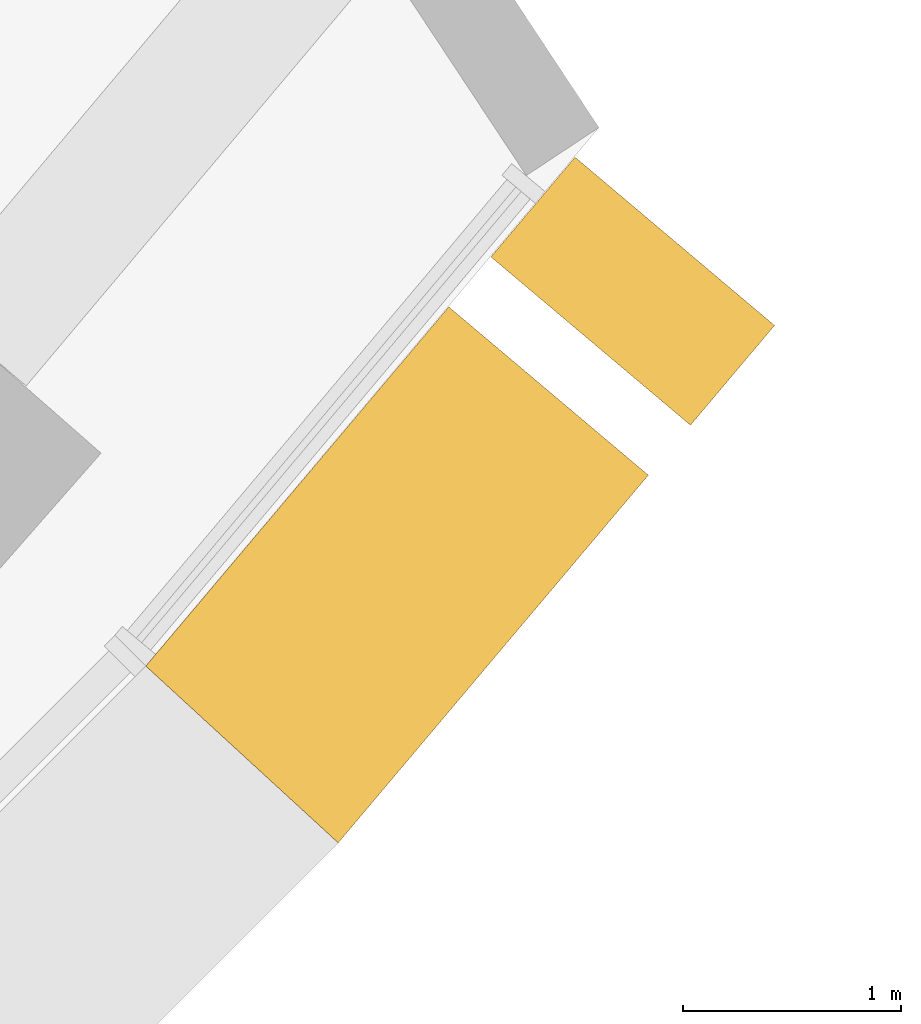
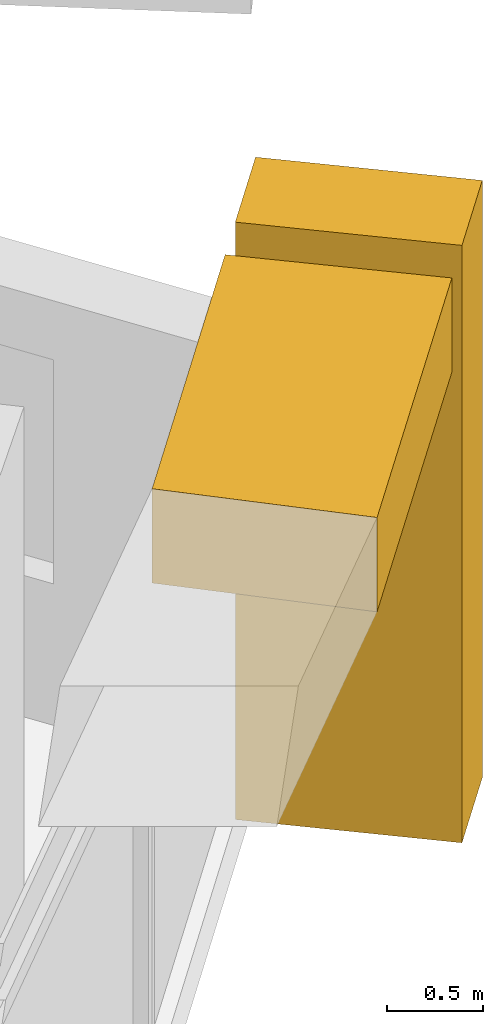
# One storey, part 29 of 29: 2 shading devices.
"""IFC4 building model written with IfcOpenShell, lengths in metres."""

from ifc_helpers import new_model, si_unit, direction, frame, origin, place, context, subcontext, project, spatial, polyline, outline, extrude, material, type_object, element, save


model = new_model("IFC4")

# Units and contexts
model_context = context("Model", 3, precision=1e-05, world=origin(), true_north=direction((0.0, 1.0)))
body_context = subcontext(model_context, "Body", "Model", "MODEL_VIEW")
ifc_project = project(units=[si_unit("LENGTHUNIT", "METRE"), si_unit("AREAUNIT", "SQUARE_METRE"), si_unit("VOLUMEUNIT", "CUBIC_METRE"), si_unit("PLANEANGLEUNIT", "RADIAN"), si_unit("MASSUNIT", "GRAM", prefix="KILO")], contexts=[model_context])

# Site, building, storey
site_placement = place(None, origin())
site = spatial("IfcSite", under=ifc_project, at=site_placement, CompositionType="ELEMENT")
building_placement = place(site_placement, origin())
building = spatial("IfcBuilding", under=site, at=building_placement, Name="Qamariyya Broadcast Tower", CompositionType="ELEMENT")
storey_placement = place(building_placement, frame((0.0, 0.0, 129.10009765625)))
storey = spatial("IfcBuildingStorey", under=building, at=storey_placement, Name="L29", CompositionType="ELEMENT", Elevation=129.10009765625)

# Shading devices
ifc_material = material(Name="Steel S355 powder coated deep red", Category="steel")
shading_device_type = type_object("IfcShadingDeviceType", Name="Deep red frame, powder coated steel box section", PredefinedType="USERDEFINED", material=ifc_material)
shading_device_1_placement = place(storey_placement, origin())
element("IfcShadingDevice", 1, at=shading_device_1_placement, inside=storey, type_object=shading_device_type, Name="e-frm-B2-F4-postb-L29", ObjectType="FRAME", PredefinedType="USERDEFINED", context=body_context, shape_type="SweptSolid", body=[
    extrude(outline(polyline([(61.20703125, -50.405517578125), (62.124267578125, -51.17919921875), (62.510986328125, -50.720703125), (61.59375, -49.947021484375), (61.20703125, -50.405517578125)])), origin(), (0.0, 0.0, 1.0), 3.7998046875),
])
shading_device_2_placement = place(storey_placement, frame((0.0, 0.0, 3.199951171875)))
element("IfcShadingDevice", 2, at=shading_device_2_placement, inside=storey, type_object=shading_device_type, Name="e-frm-B2-F4-top2", ObjectType="FRAME", PredefinedType="USERDEFINED", context=body_context, shape_type="SweptSolid", body=[
    extrude(outline(polyline([(59.620849609375, -52.2861328125), (60.50537109375, -53.0986328125), (61.930908203125, -51.40869140625), (61.013427734375, -50.635009765625), (59.620849609375, -52.2861328125)])), origin(), (0.0, 0.0, 1.0), 0.599853515625),
])

save(model, "model.ifc")
